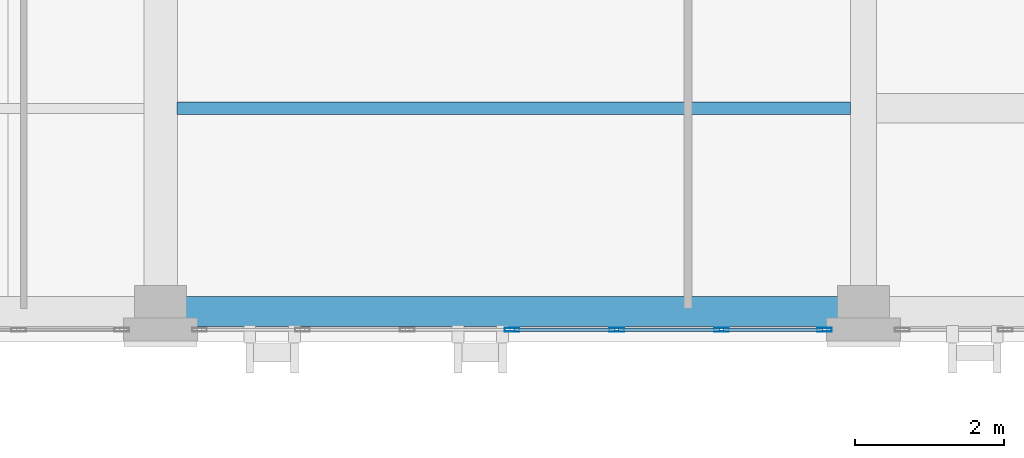
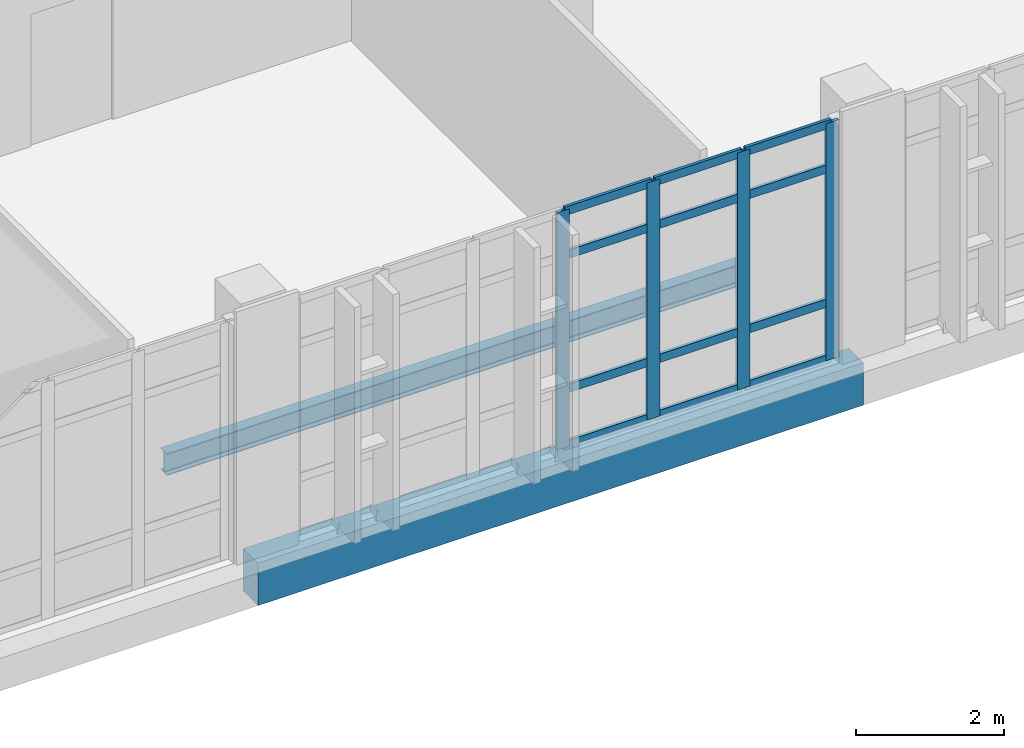
# One storey, part 34 of 193: 16 members, 2 beams, 1 element without a shape of its own.
"""IFC4 building model written with IfcOpenShell, lengths in metres."""

from ifc_helpers import new_model, si_unit, direction, frame, origin, origin_2d, place, context, subcontext, project, spatial, rectangle, hollow_rectangle, i_section, extrude, material, layer, layer_set, material_profile, profile_set, type_object, element, aggregate, save


model = new_model("IFC4")

# Units and contexts
model_context = context("Model", 3, precision=1e-05, world=origin(), true_north=direction((0.0, 1.0)))
body_context = subcontext(model_context, "Body", "Model", "MODEL_VIEW")
ifc_project = project(units=[si_unit("LENGTHUNIT", "METRE"), si_unit("AREAUNIT", "SQUARE_METRE"), si_unit("VOLUMEUNIT", "CUBIC_METRE"), si_unit("PLANEANGLEUNIT", "RADIAN"), si_unit("MASSUNIT", "GRAM", prefix="KILO")], contexts=[model_context])

# Site, building, storey
site_placement = place(None, origin())
site = spatial("IfcSite", under=ifc_project, at=site_placement, CompositionType="ELEMENT")
building_placement = place(site_placement, origin())
building = spatial("IfcBuilding", under=site, at=building_placement, Name="Qalavern Law Courts", CompositionType="ELEMENT")
storey_placement = place(building_placement, frame((0.0, 0.0, 10.199951171875)))
storey = spatial("IfcBuildingStorey", under=building, at=storey_placement, Name="L02", CompositionType="ELEMENT", Elevation=10.199951171875)

# Curtain wall, members
ifc_material_1 = material(Name="Anodised aluminium and insulated glazing", Category="aluminium")
ifc_layer = layer(ifc_material_1, 0.18505859375)
ifc_layer_set = layer_set([ifc_layer], Name="Anodised aluminium and insulated glazing")
curtain_wall_type = type_object("IfcCurtainWallType", Name="ENV-CW-HALL", PredefinedType="USERDEFINED", material=ifc_layer_set)
curtain_wall_placement = place(storey_placement, origin())
curtain_wall = element("IfcCurtainWall", 1, at=curtain_wall_placement, inside=storey, type_object=curtain_wall_type, Name="V2 unitised curtain wall L02 south 4", ObjectType="UNITISED CURTAIN WALL", PredefinedType="USERDEFINED")
ifc_material_2 = material(Name="Anodised aluminium", Category="aluminium")
ifc_material_profile_1 = material_profile(ifc_material_2, hollow_rectangle(XDim=0.048095703125, YDim=0.199951171875, WallThickness=0.00439453125, at=origin_2d()), Name="ALU MULLION 48x200")
ifc_profile_set_1 = profile_set([ifc_material_profile_1], Name="Anodised aluminium")
member_type_1 = type_object("IfcMemberType", Name="ENV-CWM-48x200", PredefinedType="MULLION", material=ifc_profile_set_1)
member_1_placement = place(storey_placement, frame((77.164306640625, 5.35498046875, 0.0), z_axis=(0.0, 0.0, 1.0), x_axis=(0.0, 1.0, 0.0)))
member_1 = element("IfcMember", 2, at=member_1_placement, type_object=member_type_1, Name="CW-02 mullion 4", PredefinedType="MULLION", context=body_context, shape_type="SweptSolid", body=[
    extrude(hollow_rectangle(XDim=0.048095703125, YDim=0.199951171875, WallThickness=0.00439453125, at=origin_2d()), origin(), (0.0, 0.0, 1.0), 3.9150390625),
])
member_2_placement = place(storey_placement, frame((78.5732421875, 5.35498046875, 0.0), z_axis=(0.0, 0.0, 1.0), x_axis=(0.0, 1.0, 0.0)))
member_2 = element("IfcMember", 3, at=member_2_placement, type_object=member_type_1, Name="CW-02 mullion 5", PredefinedType="MULLION", context=body_context, shape_type="SweptSolid", body=[
    extrude(hollow_rectangle(XDim=0.048095703125, YDim=0.199951171875, WallThickness=0.00439453125, at=origin_2d()), origin(), (0.0, 0.0, 1.0), 3.9150390625),
])
member_3_placement = place(storey_placement, frame((79.982421875, 5.35498046875, 0.0), z_axis=(0.0, 0.0, 1.0), x_axis=(0.0, 1.0, 0.0)))
member_3 = element("IfcMember", 4, at=member_3_placement, type_object=member_type_1, Name="CW-02 mullion 6", PredefinedType="MULLION", context=body_context, shape_type="SweptSolid", body=[
    extrude(hollow_rectangle(XDim=0.048095703125, YDim=0.199951171875, WallThickness=0.00439453125, at=origin_2d()), origin(), (0.0, 0.0, 1.0), 3.9150390625),
])
member_4_placement = place(storey_placement, frame((81.367431640625, 5.35498046875, 0.0), z_axis=(0.0, 0.0, 1.0), x_axis=(0.0, 1.0, 0.0)))
member_4 = element("IfcMember", 5, at=member_4_placement, type_object=member_type_1, Name="CW-02 mullion 7", PredefinedType="MULLION", context=body_context, shape_type="SweptSolid", body=[
    extrude(hollow_rectangle(XDim=0.048095703125, YDim=0.199951171875, WallThickness=0.00439453125, at=origin_2d()), origin(), (0.0, 0.0, 1.0), 3.9150390625),
])
ifc_material_profile_2 = material_profile(ifc_material_2, hollow_rectangle(XDim=0.048095703125, YDim=0.139892578125, WallThickness=0.00390625, at=origin_2d()), Name="ALU TRANSOM 48x140")
ifc_profile_set_2 = profile_set([ifc_material_profile_2], Name="Anodised aluminium")
member_type_2 = type_object("IfcMemberType", Name="ENV-CWT-48x140", PredefinedType="USERDEFINED", material=ifc_profile_set_2)
member_5_placement = place(storey_placement, frame((77.188232421875, 5.35498046875, 0.024169921875), z_axis=(1.0, 0.0, 0.0), x_axis=(0.0, 1.0, 0.0)))
member_5 = element("IfcMember", 6, at=member_5_placement, type_object=member_type_2, Name="CW-02 transom 4.1", ObjectType="TRANSOM", PredefinedType="USERDEFINED", context=body_context, shape_type="SweptSolid", body=[
    extrude(hollow_rectangle(XDim=0.048095703125, YDim=0.139892578125, WallThickness=0.00390625, at=origin_2d()), origin(), (0.0, 0.0, 1.0), 1.361083984375),
])
member_6_placement = place(storey_placement, frame((77.188232421875, 5.35498046875, 0.949951171875), z_axis=(1.0, 0.0, 0.0), x_axis=(0.0, 1.0, 0.0)))
member_6 = element("IfcMember", 7, at=member_6_placement, type_object=member_type_2, Name="CW-02 transom 4.2", ObjectType="TRANSOM", PredefinedType="USERDEFINED", context=body_context, shape_type="SweptSolid", body=[
    extrude(hollow_rectangle(XDim=0.048095703125, YDim=0.139892578125, WallThickness=0.00390625, at=origin_2d()), origin(), (0.0, 0.0, 1.0), 1.361083984375),
])
member_7_placement = place(storey_placement, frame((77.188232421875, 5.35498046875, 3.1650390625), z_axis=(1.0, 0.0, 0.0), x_axis=(0.0, 1.0, 0.0)))
member_7 = element("IfcMember", 8, at=member_7_placement, type_object=member_type_2, Name="CW-02 transom 4.3", ObjectType="TRANSOM", PredefinedType="USERDEFINED", context=body_context, shape_type="SweptSolid", body=[
    extrude(hollow_rectangle(XDim=0.048095703125, YDim=0.139892578125, WallThickness=0.00390625, at=origin_2d()), origin(), (0.0, 0.0, 1.0), 1.361083984375),
])
member_8_placement = place(storey_placement, frame((77.188232421875, 5.35498046875, 3.89111328125), z_axis=(1.0, 0.0, 0.0), x_axis=(0.0, 1.0, 0.0)))
member_8 = element("IfcMember", 9, at=member_8_placement, type_object=member_type_2, Name="CW-02 transom 4.4", ObjectType="TRANSOM", PredefinedType="USERDEFINED", context=body_context, shape_type="SweptSolid", body=[
    extrude(hollow_rectangle(XDim=0.048095703125, YDim=0.139892578125, WallThickness=0.00390625, at=origin_2d()), origin(), (0.0, 0.0, 1.0), 1.361083984375),
])
member_9_placement = place(storey_placement, frame((78.597412109375, 5.35498046875, 0.024169921875), z_axis=(1.0, 0.0, 0.0), x_axis=(0.0, 1.0, 0.0)))
member_9 = element("IfcMember", 10, at=member_9_placement, type_object=member_type_2, Name="CW-02 transom 5.1", ObjectType="TRANSOM", PredefinedType="USERDEFINED", context=body_context, shape_type="SweptSolid", body=[
    extrude(hollow_rectangle(XDim=0.048095703125, YDim=0.139892578125, WallThickness=0.00390625, at=origin_2d()), origin(), (0.0, 0.0, 1.0), 1.36083984375),
])
member_10_placement = place(storey_placement, frame((78.597412109375, 5.35498046875, 0.949951171875), z_axis=(1.0, 0.0, 0.0), x_axis=(0.0, 1.0, 0.0)))
member_10 = element("IfcMember", 11, at=member_10_placement, type_object=member_type_2, Name="CW-02 transom 5.2", ObjectType="TRANSOM", PredefinedType="USERDEFINED", context=body_context, shape_type="SweptSolid", body=[
    extrude(hollow_rectangle(XDim=0.048095703125, YDim=0.139892578125, WallThickness=0.00390625, at=origin_2d()), origin(), (0.0, 0.0, 1.0), 1.36083984375),
])
member_11_placement = place(storey_placement, frame((78.597412109375, 5.35498046875, 3.1650390625), z_axis=(1.0, 0.0, 0.0), x_axis=(0.0, 1.0, 0.0)))
member_11 = element("IfcMember", 12, at=member_11_placement, type_object=member_type_2, Name="CW-02 transom 5.3", ObjectType="TRANSOM", PredefinedType="USERDEFINED", context=body_context, shape_type="SweptSolid", body=[
    extrude(hollow_rectangle(XDim=0.048095703125, YDim=0.139892578125, WallThickness=0.00390625, at=origin_2d()), origin(), (0.0, 0.0, 1.0), 1.36083984375),
])
member_12_placement = place(storey_placement, frame((78.597412109375, 5.35498046875, 3.89111328125), z_axis=(1.0, 0.0, 0.0), x_axis=(0.0, 1.0, 0.0)))
member_12 = element("IfcMember", 13, at=member_12_placement, type_object=member_type_2, Name="CW-02 transom 5.4", ObjectType="TRANSOM", PredefinedType="USERDEFINED", context=body_context, shape_type="SweptSolid", body=[
    extrude(hollow_rectangle(XDim=0.048095703125, YDim=0.139892578125, WallThickness=0.00390625, at=origin_2d()), origin(), (0.0, 0.0, 1.0), 1.36083984375),
])
member_13_placement = place(storey_placement, frame((80.00634765625, 5.35498046875, 0.024169921875), z_axis=(1.0, 0.0, 0.0), x_axis=(0.0, 1.0, 0.0)))
member_13 = element("IfcMember", 14, at=member_13_placement, type_object=member_type_2, Name="CW-02 transom 6.1", ObjectType="TRANSOM", PredefinedType="USERDEFINED", context=body_context, shape_type="SweptSolid", body=[
    extrude(hollow_rectangle(XDim=0.048095703125, YDim=0.139892578125, WallThickness=0.00390625, at=origin_2d()), origin(), (0.0, 0.0, 1.0), 1.337158203125),
])
member_14_placement = place(storey_placement, frame((80.00634765625, 5.35498046875, 0.949951171875), z_axis=(1.0, 0.0, 0.0), x_axis=(0.0, 1.0, 0.0)))
member_14 = element("IfcMember", 15, at=member_14_placement, type_object=member_type_2, Name="CW-02 transom 6.2", ObjectType="TRANSOM", PredefinedType="USERDEFINED", context=body_context, shape_type="SweptSolid", body=[
    extrude(hollow_rectangle(XDim=0.048095703125, YDim=0.139892578125, WallThickness=0.00390625, at=origin_2d()), origin(), (0.0, 0.0, 1.0), 1.337158203125),
])
member_15_placement = place(storey_placement, frame((80.00634765625, 5.35498046875, 3.1650390625), z_axis=(1.0, 0.0, 0.0), x_axis=(0.0, 1.0, 0.0)))
member_15 = element("IfcMember", 16, at=member_15_placement, type_object=member_type_2, Name="CW-02 transom 6.3", ObjectType="TRANSOM", PredefinedType="USERDEFINED", context=body_context, shape_type="SweptSolid", body=[
    extrude(hollow_rectangle(XDim=0.048095703125, YDim=0.139892578125, WallThickness=0.00390625, at=origin_2d()), origin(), (0.0, 0.0, 1.0), 1.337158203125),
])
member_16_placement = place(storey_placement, frame((80.00634765625, 5.35498046875, 3.89111328125), z_axis=(1.0, 0.0, 0.0), x_axis=(0.0, 1.0, 0.0)))
member_16 = element("IfcMember", 17, at=member_16_placement, type_object=member_type_2, Name="CW-02 transom 6.4", ObjectType="TRANSOM", PredefinedType="USERDEFINED", context=body_context, shape_type="SweptSolid", body=[
    extrude(hollow_rectangle(XDim=0.048095703125, YDim=0.139892578125, WallThickness=0.00390625, at=origin_2d()), origin(), (0.0, 0.0, 1.0), 1.337158203125),
])
aggregate(curtain_wall, [member_1, member_2, member_3, member_4, member_5, member_6, member_7, member_8, member_9, member_10, member_11, member_12, member_13, member_14, member_15, member_16])

# Beams
ifc_material_3 = material(Name="Steel S355", Category="steel")
ifc_material_profile_3 = material_profile(ifc_material_3, i_section(OverallWidth=0.169921875, OverallDepth=0.360107421875, WebThickness=0.008056640625, FlangeThickness=0.0126953125, FilletRadius=0.01806640625, at=origin_2d()), Name="IPE 360")
ifc_profile_set_3 = profile_set([ifc_material_profile_3], Name="Steel S355")
beam_type_1 = type_object("IfcBeamType", Name="STR-JST-IPE360", PredefinedType="JOIST", material=ifc_profile_set_3)
beam_1_placement = place(storey_placement, frame((72.66015625, 8.333251953125, -0.469970703125), z_axis=(1.0, 0.0, 0.0), x_axis=(0.0, 1.0, 0.0)))
element("IfcBeam", 18, at=beam_1_placement, inside=storey, type_object=beam_type_1, Name="V2 secondary joist 5.1.1 L02", PredefinedType="JOIST", context=body_context, shape_type="SweptSolid", body=[
    extrude(i_section(OverallWidth=0.169921875, OverallDepth=0.360107421875, WebThickness=0.008056640625, FlangeThickness=0.0126953125, FilletRadius=0.01806640625, at=origin_2d()), origin(), (0.0, 0.0, 1.0), 9.058349609375),
])
ifc_material_4 = material(Name="Concrete C40/50", Category="concrete")
ifc_material_profile_4 = material_profile(ifc_material_4, rectangle(XDim=0.39990234375, YDim=0.699951171875, at=origin_2d()), Name="RC 400x700")
ifc_profile_set_4 = profile_set([ifc_material_profile_4], Name="Concrete C40/50")
beam_type_2 = type_object("IfcBeamType", Name="STR-SP-RC400x700", PredefinedType="SPANDREL", material=ifc_profile_set_4)
beam_2_placement = place(storey_placement, frame((72.43701171875, 5.60009765625, -0.639892578125), z_axis=(1.0, 0.0, 0.0), x_axis=(0.0, 1.0, 0.0)))
element("IfcBeam", 19, at=beam_2_placement, inside=storey, type_object=beam_type_2, Name="V2 X-beam 1-5 L02", PredefinedType="SPANDREL", context=body_context, shape_type="SweptSolid", body=[
    extrude(rectangle(XDim=0.39990234375, YDim=0.699951171875, at=origin_2d()), origin(), (0.0, 0.0, 1.0), 9.454345703125),
])

save(model, "model.ifc")
